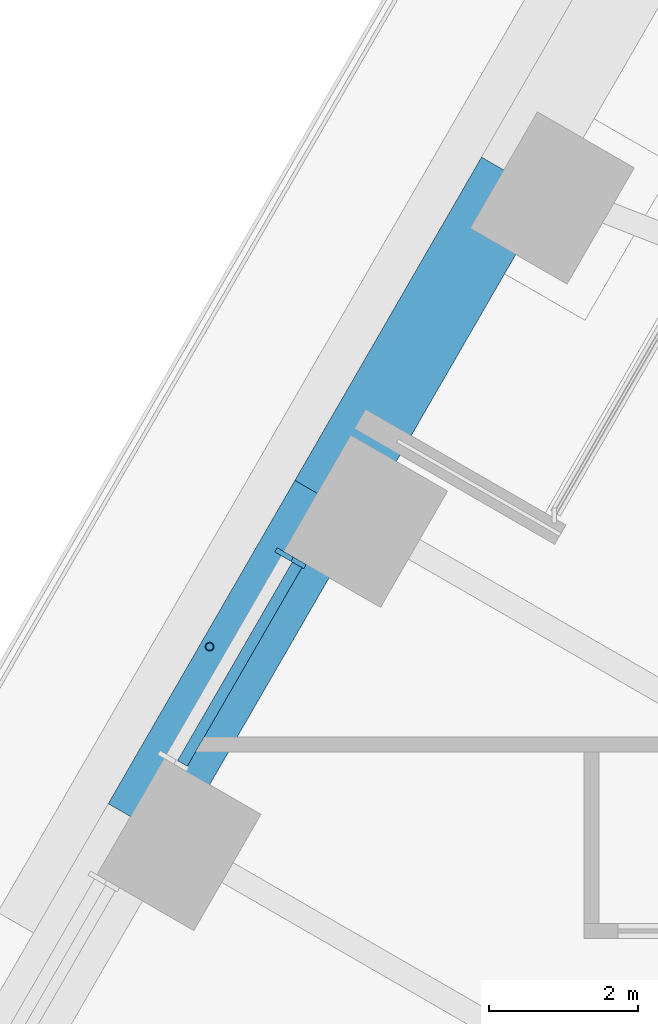
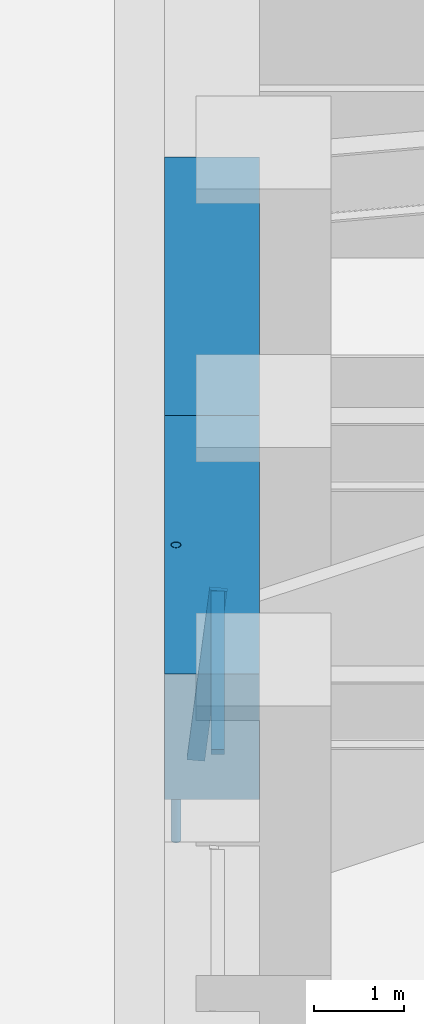
# One storey, part 7 of 24: 3 members, 2 beams, 1 element without a shape of its own.
"""IFC4 building model written with IfcOpenShell, lengths in metres."""

from ifc_helpers import new_model, si_unit, direction, frame, origin, origin_2d, place, context, subcontext, project, spatial, rectangle, hollow_circle, extrude, material, material_profile, profile_set, type_object, element, aggregate, save


model = new_model("IFC4")

# Units and contexts
model_context = context("Model", 3, precision=1e-05, world=origin(), true_north=direction((0.0, 1.0)))
body_context = subcontext(model_context, "Body", "Model", "MODEL_VIEW")
ifc_project = project(units=[si_unit("LENGTHUNIT", "METRE"), si_unit("AREAUNIT", "SQUARE_METRE"), si_unit("VOLUMEUNIT", "CUBIC_METRE"), si_unit("PLANEANGLEUNIT", "RADIAN"), si_unit("MASSUNIT", "GRAM", prefix="KILO")], contexts=[model_context])

# Site, building, storey
site_placement = place(None, origin())
site = spatial("IfcSite", under=ifc_project, at=site_placement, CompositionType="ELEMENT")
building_placement = place(site_placement, origin())
building = spatial("IfcBuilding", under=site, at=building_placement, Name="Tarfa Lantern Tower", CompositionType="ELEMENT")
storey_placement = place(building_placement, frame((0.0, 0.0, 123.699951171875)))
storey = spatial("IfcBuildingStorey", under=building, at=storey_placement, Name="L27", CompositionType="ELEMENT", Elevation=123.699951171875)

# Curtain wall, members
ifc_material_1 = material(Name="Aluminium framed curtain wall", Category="aluminium")
curtain_wall_type = type_object("IfcCurtainWallType", Name="CW2 CANTED GLAZING MID ZONE 2300", PredefinedType="USERDEFINED", material=ifc_material_1)
curtain_wall_placement = place(storey_placement, origin())
curtain_wall = element("IfcCurtainWall", 1, at=curtain_wall_placement, inside=storey, type_object=curtain_wall_type, Name="CW2 NWB L27", ObjectType="CURTAIN WALL", PredefinedType="USERDEFINED")
ifc_material_2 = material(Name="Aluminium mullion", Category="aluminium")
ifc_material_profile_1 = material_profile(ifc_material_2, rectangle(XDim=0.06494140625, YDim=0.199951171875, at=origin_2d()), Name="AL MULLION 65x200")
ifc_profile_set_1 = profile_set([ifc_material_profile_1], Name="Aluminium mullion")
member_type_1 = type_object("IfcMemberType", Name="CWM1 MULLION 65x200", PredefinedType="MULLION", material=ifc_profile_set_1)
member_1_placement = place(storey_placement, frame((-30.161376953125, 10.55908203125, 0.0), z_axis=(0.093599904765, -0.0540283554, 0.994142844183), x_axis=(0.499919672301, 0.866071776036, 0.0)))
member_1 = element("IfcMember", 2, at=member_1_placement, type_object=member_type_1, Name="CW2 mullion 1", PredefinedType="MULLION", context=body_context, shape_type="SweptSolid", body=[
    extrude(rectangle(XDim=0.06494140625, YDim=0.199951171875, at=origin_2d()), origin(), (0.0, 0.0, 1.0), 2.313720703125),
])
ifc_material_3 = material(Name="Aluminium transom", Category="aluminium")
ifc_material_profile_2 = material_profile(ifc_material_3, rectangle(XDim=0.14990234375, YDim=0.06494140625, at=origin_2d()), Name="AL TRANSOM 150x65")
ifc_profile_set_2 = profile_set([ifc_material_profile_2], Name="Aluminium transom")
member_type_2 = type_object("IfcMemberType", Name="CWT1 TRANSOM 150x65", PredefinedType="USERDEFINED", material=ifc_profile_set_2)
member_2_placement = place(storey_placement, frame((-29.964111328125, 10.40771484375, 2.267578125), z_axis=(-0.500008936691, -0.866020244122, 0.0), x_axis=(0.866020244122, -0.500008936691, 0.0)))
member_2 = element("IfcMember", 3, at=member_2_placement, type_object=member_type_2, Name="CW2 transom 1.2", ObjectType="TRANSOM", PredefinedType="USERDEFINED", context=body_context, shape_type="SweptSolid", body=[
    extrude(rectangle(XDim=0.14990234375, YDim=0.06494140625, at=origin_2d()), origin(), (0.0, 0.0, 1.0), 3.07373046875),
])
aggregate(curtain_wall, [member_1, member_2])

# Beams
ifc_material_4 = material(Name="Concrete C80/95", Category="concrete")
ifc_material_profile_3 = material_profile(ifc_material_4, rectangle(XDim=1.050048828125, YDim=1.699951171875, at=origin_2d()), Name="RC 1050x1700")
ifc_profile_set_3 = profile_set([ifc_material_profile_3], Name="Concrete C80/95")
beam_type = type_object("IfcBeamType", Name="RB2 RC 1050x1700", PredefinedType="BEAM", material=ifc_profile_set_3)
for number, where, z_axis, x_axis, name in (
    (4, (-27.037353515625, 15.610107421875, 3.150146484375), (-0.499964603504, -0.866045838996, 0.0), (0.866045838996, -0.499964603504, 0.0), "Edge beam NW3"),
    (5, (-29.5390625, 11.276611328125, 3.150146484375), (-0.500022324899, -0.866012514114, 0.0), (0.866012514114, -0.500022324899, 0.0), "Edge beam NW4"),
):
    element("IfcBeam", number, at=place(storey_placement, frame(where, z_axis=z_axis, x_axis=x_axis)), inside=storey, type_object=beam_type, Name=name, PredefinedType="BEAM", context=body_context, shape_type="SweptSolid", body=[
        extrude(rectangle(XDim=1.050048828125, YDim=1.699951171875, at=origin_2d()), origin(), (0.0, 0.0, 1.0), 5.003662109375),
    ])

# Member
ifc_material_5 = material(Name="Steel S355", Category="steel")
ifc_material_profile_4 = material_profile(ifc_material_5, hollow_circle(Radius=0.05712890625, WallThickness=0.00634765625, at=origin_2d()), Name="CHS114.3x6.3")
ifc_profile_set_4 = profile_set([ifc_material_profile_4], Name="Steel S355")
member_type_3 = type_object("IfcMemberType", Name="TR1 GREEN WALL TRELLIS CHS114.3x6.3", PredefinedType="USERDEFINED", material=ifc_profile_set_4)
member_3_placement = place(storey_placement, frame((-31.136474609375, 9.31005859375, 0.0), z_axis=(0.0, 0.0, 1.0), x_axis=(1.0, 0.0, 0.0)))
element("IfcMember", 6, at=member_3_placement, inside=storey, type_object=member_type_3, Name="Trellis post NW 2", ObjectType="TRELLIS", PredefinedType="USERDEFINED", context=body_context, shape_type="SweptSolid", body=[
    extrude(hollow_circle(Radius=0.05712890625, WallThickness=0.00634765625, at=origin_2d()), origin(), (0.0, 0.0, 1.0), 4.0),
])

save(model, "model.ifc")
